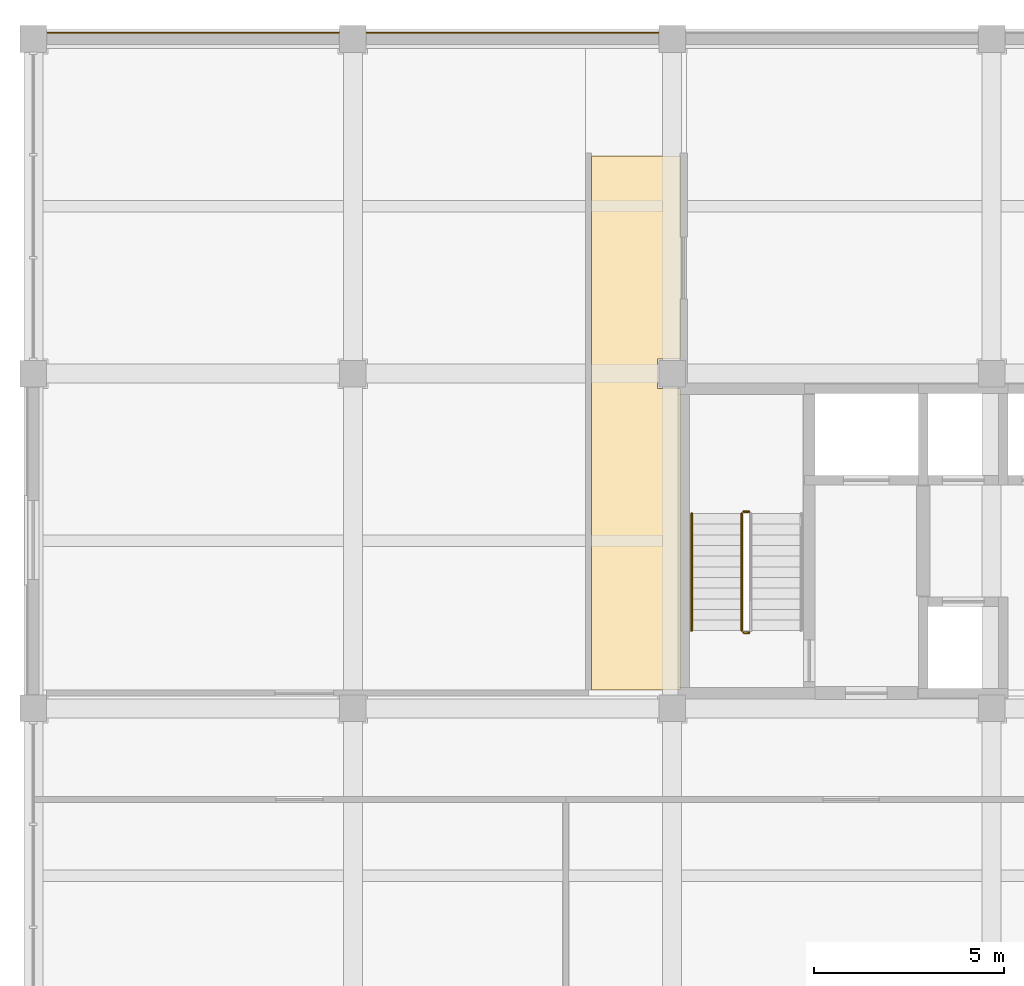
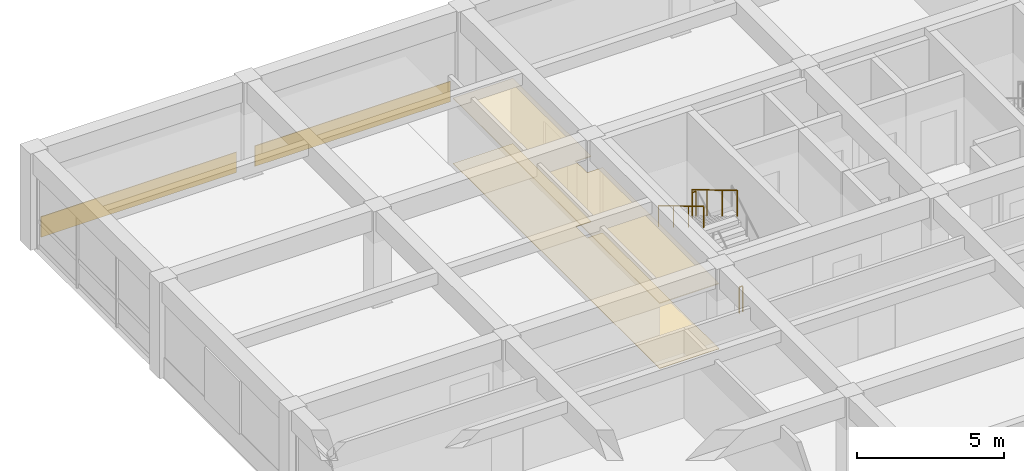
# One storey, part 6 of 8: 4 coverings, 4 railings.
"""IFC4 building model written with IfcOpenShell, lengths in metres."""

from ifc_helpers import new_model, si_unit, direction, frame, origin, origin_2d, place, context, subcontext, project, spatial, polyline, circle, outline, extrude, material, layer, layer_set, type_object, element, save


model = new_model("IFC4")

# Units and contexts
model_context = context("Model", 3, precision=1e-05, world=origin(), true_north=direction((0.0, 1.0)))
body_context = subcontext(model_context, "Body", "Model", "MODEL_VIEW")
ifc_project = project(units=[si_unit("LENGTHUNIT", "METRE"), si_unit("AREAUNIT", "SQUARE_METRE"), si_unit("VOLUMEUNIT", "CUBIC_METRE"), si_unit("PLANEANGLEUNIT", "RADIAN"), si_unit("MASSUNIT", "GRAM", prefix="KILO")], contexts=[model_context])

# Site, building, storey
site_placement = place(None, origin())
site = spatial("IfcSite", under=ifc_project, at=site_placement, CompositionType="ELEMENT")
building_placement = place(site_placement, origin())
building = spatial("IfcBuilding", under=site, at=building_placement, Name="Kemercrest Conservatory and Botanical Centre", CompositionType="ELEMENT")
storey_placement = place(building_placement, frame((0.0, 0.0, 24.800048828125)))
storey = spatial("IfcBuildingStorey", under=building, at=storey_placement, Name="L06", CompositionType="ELEMENT", Elevation=24.800048828125)

# Coverings
ifc_material_1 = material(Name="Glazed turquoise ceramic tile spandrel", Category="masonry")
ifc_layer_1 = layer(ifc_material_1, 0.028076171875)
ifc_layer_set_1 = layer_set([ifc_layer_1], Name="Glazed turquoise ceramic tile spandrel")
covering_type_1 = type_object("IfcCoveringType", Name="CV-CLD028", PredefinedType="CLADDING", material=ifc_layer_set_1)
covering_1_placement = place(storey_placement, origin())
element("IfcCovering", 1, at=covering_1_placement, inside=storey, type_object=covering_type_1, Name="Exterior stone spandrel cladding (WAL:L06:EXT-258)", PredefinedType="CLADDING", context=body_context, shape_type="SweptSolid", body=[
    extrude(outline(polyline([(150.43994140625, 122.550048828125), (150.43994140625, 122.577880859375), (142.760009765625, 122.577880859375), (142.760009765625, 122.550048828125), (150.43994140625, 122.550048828125)])), origin(), (0.0, 0.0, 1.0), 0.849853515625),
])
covering_2_placement = place(storey_placement, origin())
element("IfcCovering", 2, at=covering_2_placement, inside=storey, type_object=covering_type_1, Name="Exterior stone spandrel cladding (WAL:L06:EXT-259)", PredefinedType="CLADDING", context=body_context, shape_type="SweptSolid", body=[
    extrude(outline(polyline([(142.0400390625, 122.550048828125), (142.0400390625, 122.577880859375), (134.360107421875, 122.577880859375), (134.360107421875, 122.550048828125), (142.0400390625, 122.550048828125)])), origin(), (0.0, 0.0, 1.0), 0.849853515625),
])
ifc_material_2 = material(Name="Perforated acoustic gypsum and mineral-fibre suspended ceiling", Category="gypsum")
ifc_layer_2 = layer(ifc_material_2, 0.034912109375)
ifc_layer_set_2 = layer_set([ifc_layer_2], Name="Perforated acoustic gypsum and mineral-fibre suspended ceiling")
covering_type_2 = type_object("IfcCoveringType", Name="CV-CLG035", PredefinedType="CEILING", material=ifc_layer_set_2)
covering_3_placement = place(storey_placement, frame((0.0, 0.0, 2.699951171875)))
element("IfcCovering", 3, at=covering_3_placement, inside=storey, type_object=covering_type_2, Name="North Core Lobby Branch suspended acoustic ceiling", PredefinedType="CEILING", context=body_context, shape_type="SweptSolid", body=[
    extrude(outline(polyline([(148.679931640625, 105.280029296875), (151.02001953125, 105.280029296875), (151.02001953125, 113.2099609375), (150.409912109375, 113.2099609375), (150.409912109375, 113.989990234375), (151.02001953125, 113.989990234375), (151.02001953125, 119.320068359375), (148.679931640625, 119.320068359375), (148.679931640625, 105.280029296875)])), origin(), (0.0, 0.0, 1.0), 0.034912109375),
])
ifc_material_3 = material(Name="Polished limestone terrazzo and seamless laboratory epoxy flooring", Category="masonry")
ifc_layer_3 = layer(ifc_material_3, 0.02001953125)
ifc_layer_set_3 = layer_set([ifc_layer_3], Name="Polished limestone terrazzo and seamless laboratory epoxy flooring")
covering_type_3 = type_object("IfcCoveringType", Name="CV-FLR020", PredefinedType="FLOORING", material=ifc_layer_set_3)
covering_4_placement = place(storey_placement, origin())
element("IfcCovering", 4, at=covering_4_placement, inside=storey, type_object=covering_type_3, Name="North Core Lobby Branch floor finish", PredefinedType="FLOORING", context=body_context, shape_type="SweptSolid", body=[
    extrude(outline(polyline([(148.679931640625, 105.280029296875), (151.02001953125, 105.280029296875), (151.02001953125, 113.2099609375), (150.409912109375, 113.2099609375), (150.409912109375, 113.989990234375), (151.02001953125, 113.989990234375), (151.02001953125, 119.320068359375), (148.679931640625, 119.320068359375), (148.679931640625, 105.280029296875)])), origin(), (0.0, 0.0, 1.0), 0.02001953125),
])

# Railings
ifc_material_4 = material(Name="Painted galvanized steel tubular stair guardrail", Category="steel")
railing_type_1 = type_object("IfcRailingType", Name="GR-STR110", PredefinedType="GUARDRAIL", material=ifc_material_4)
railing_1_placement = place(storey_placement, frame((152.820068359375, 109.969970703125, 2.0)))
element("IfcRailing", 5, at=railing_1_placement, inside=storey, type_object=railing_type_1, Name="L06 ST-V4A stair guard 2", PredefinedType="GUARDRAIL", context=body_context, shape_type="SweptSolid", body=[
    extrude(circle(Radius=0.02392578125, at=origin_2d()), frame((0.0, 0.0, 1.076171875), z_axis=(-1.0, 0.0, 0.0), x_axis=(0.0, -1.0, 0.0)), (0.0, 0.0, 1.0), 0.14013671875),
    extrude(circle(Radius=0.02099609375, at=origin_2d()), origin(), (0.0, 0.0, 1.0), 1.052001953125),
    extrude(circle(Radius=0.02099609375, at=origin_2d()), frame((-0.14013671875, 0.0, 0.0)), (0.0, 0.0, 1.0), 1.052001953125),
])
railing_2_placement = place(storey_placement, frame((152.6298828125, 109.919921875, 2.16650390625)))
element("IfcRailing", 6, at=railing_2_placement, inside=storey, type_object=railing_type_1, Name="L06 ST-V4A stair guard 3", PredefinedType="GUARDRAIL", context=body_context, shape_type="SweptSolid", body=[
    extrude(circle(Radius=0.02392578125, at=origin_2d()), frame((0.0, 0.0, 1.076171875), z_axis=(0.0, -0.859260807169, 0.511537745687), x_axis=(1.0, 0.0, 0.0)), (0.0, 0.0, 1.0), 3.584228515625),
    extrude(circle(Radius=0.02099609375, at=origin_2d()), origin(), (0.0, 0.0, 1.0), 1.052001953125),
    extrude(circle(Radius=0.02099609375, at=origin_2d()), frame((0.0, -1.026611328125, 0.611083984375)), (0.0, 0.0, 1.0), 1.052001953125),
    extrude(circle(Radius=0.02099609375, at=origin_2d()), frame((0.0, -2.05322265625, 1.222412109375)), (0.0, 0.0, 1.0), 1.052001953125),
    extrude(circle(Radius=0.02099609375, at=origin_2d()), frame((0.0, -3.079833984375, 1.83349609375)), (0.0, 0.0, 1.0), 1.052001953125),
])
railing_3_placement = place(storey_placement, frame((152.820068359375, 106.7900390625, 0.0)))
element("IfcRailing", 7, at=railing_3_placement, inside=storey, type_object=railing_type_1, Name="L06 ST-V4A stair guard 4", PredefinedType="GUARDRAIL", context=body_context, shape_type="SweptSolid", body=[
    extrude(circle(Radius=0.02392578125, at=origin_2d()), frame((0.0, 0.0, 1.076171875), z_axis=(-1.0, 0.0, 0.0), x_axis=(0.0, -1.0, 0.0)), (0.0, 0.0, 1.0), 0.14013671875),
    extrude(circle(Radius=0.02099609375, at=origin_2d()), origin(), (0.0, 0.0, 1.0), 1.052001953125),
    extrude(circle(Radius=0.02099609375, at=origin_2d()), frame((-0.14013671875, 0.0, 0.0)), (0.0, 0.0, 1.0), 1.052001953125),
])
ifc_material_5 = material(Name="Brushed stainless steel wall-mounted handrail", Category="steel")
railing_type_2 = type_object("IfcRailingType", Name="HR-STR090", PredefinedType="HANDRAIL", material=ifc_material_5)
railing_4_placement = place(storey_placement, frame((151.31005859375, 109.919921875, 2.16650390625)))
element("IfcRailing", 8, at=railing_4_placement, inside=storey, type_object=railing_type_2, Name="L06 ST-V4A stair handrail 2", PredefinedType="HANDRAIL", context=body_context, shape_type="SweptSolid", body=[
    extrude(circle(Radius=0.02392578125, at=origin_2d()), frame((0.0, 0.0, 0.8759765625), z_axis=(0.0, -0.859260807169, 0.511537745687), x_axis=(1.0, 0.0, 0.0)), (0.0, 0.0, 1.0), 3.584228515625),
    extrude(circle(Radius=0.02099609375, at=origin_2d()), origin(), (0.0, 0.0, 1.0), 0.851806640625),
    extrude(circle(Radius=0.02099609375, at=origin_2d()), frame((0.0, -1.026611328125, 0.611083984375)), (0.0, 0.0, 1.0), 0.851806640625),
    extrude(circle(Radius=0.02099609375, at=origin_2d()), frame((0.0, -2.05322265625, 1.222412109375)), (0.0, 0.0, 1.0), 0.851806640625),
    extrude(circle(Radius=0.02099609375, at=origin_2d()), frame((0.0, -3.079833984375, 1.83349609375)), (0.0, 0.0, 1.0), 0.851806640625),
])

save(model, "model.ifc")
